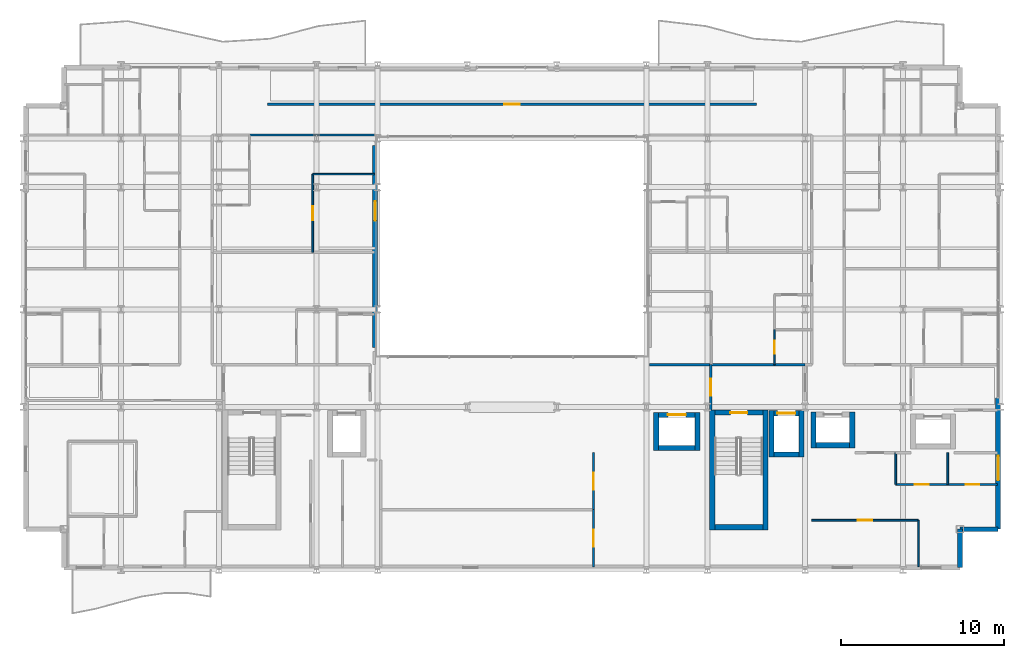
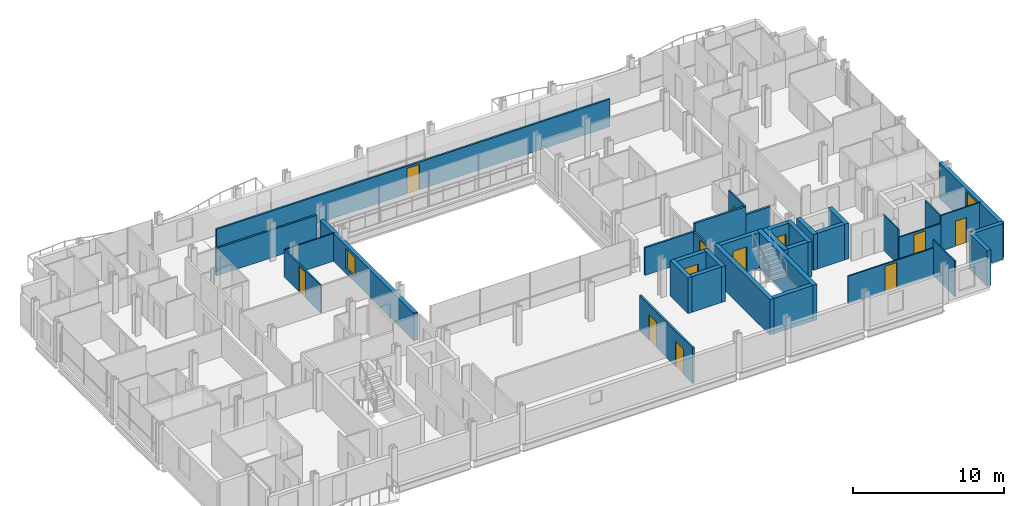
# One storey, part 34 of 41: 36 walls, 12 doors, 2 windows, 14 openings.
"""IFC4 building model written with IfcOpenShell, lengths in metres."""

import ifcopenshell
import ifcopenshell.guid

model = None  # the IFC model being written
_history = None  # IfcOwnerHistory: only IFC2X3 demands one
_inside = {}  # id of a spatial element -> (the spatial element, [elements in it])
_under = {}  # id of a project, library or spatial element -> (it, [spatial elements below it])
_declared = {}  # id of a project -> (the project, [libraries it declares])
_typed = {}  # id of a type object -> (the type object, [elements of that type])
_made_of = {}  # id of a material, layer set ... -> (it, [elements and type objects made of it])


def new_model(schema):
    """Start an empty IFC model of exactly this schema.

    Asked for "IFC4X3", IfcOpenShell would pick the latest addendum, in which some entities
    have other attributes; the version numbers below select the first issue.
    IFC2X3 requires an IfcOwnerHistory on every rooted entity: one is made here for all.
    """
    global model, _history
    if schema == "IFC4X3":
        model = ifcopenshell.file(schema_version=(4, 3, 0, 0))
    else:
        model = ifcopenshell.file(schema=schema)
    _inside.clear()
    _under.clear()
    _declared.clear()
    _typed.clear()
    _made_of.clear()
    _history = None
    if model.schema == "IFC2X3":
        org = make("IfcOrganization", Name="unknown")
        user = make(
            "IfcPersonAndOrganization",
            ThePerson=make("IfcPerson", FamilyName="unknown"),
            TheOrganization=org,
        )
        app = make(
            "IfcApplication",
            ApplicationDeveloper=org,
            Version="unknown",
            ApplicationFullName="unknown",
            ApplicationIdentifier="unknown",
        )
        _history = make(
            "IfcOwnerHistory",
            OwningUser=user,
            OwningApplication=app,
            ChangeAction="ADDED",
            CreationDate=0,
        )
    return model


def make(cls, **values):
    """One entity of the class cls with the attributes given. An attribute that is None is left unset."""
    return model.create_entity(
        cls, **{name: value for name, value in values.items() if value is not None}
    )


def rooted(cls, **values):
    """An entity with a GlobalId (a new one), such as an element, a storey or a relation."""
    return make(cls, GlobalId=ifcopenshell.guid.new(), OwnerHistory=_history, **values)


def si_unit(unit_type, name, prefix=None):
    """IfcSIUnit, for example si_unit("LENGTHUNIT", "METRE", prefix="MILLI")."""
    return make("IfcSIUnit", UnitType=unit_type, Prefix=prefix, Name=name)


def assignment(units):
    """IfcUnitAssignment: the units of a project."""
    return None if units is None else make("IfcUnitAssignment", Units=units)


def point(xyz):
    """IfcCartesianPoint."""
    return None if xyz is None else make("IfcCartesianPoint", Coordinates=xyz)


def direction(xyz):
    """IfcDirection."""
    return None if xyz is None else make("IfcDirection", DirectionRatios=xyz)


def frame(location, z_axis=None, x_axis=None):
    """IfcAxis2Placement3D, a coordinate frame: its origin and axes. An axis left out is left unset."""
    return make(
        "IfcAxis2Placement3D",
        Location=point(location),
        Axis=direction(z_axis),
        RefDirection=direction(x_axis),
    )


def frame_2d(location, x_axis=None):
    """IfcAxis2Placement2D, a coordinate frame in the plane: its origin and x axis."""
    return make(
        "IfcAxis2Placement2D", Location=point(location), RefDirection=direction(x_axis)
    )


def origin():
    """The frame at (0, 0, 0) with its axes left unset."""
    return frame((0.0, 0.0, 0.0))


def place(relative_to, where):
    """IfcLocalPlacement: puts the frame where relative to a parent placement (None: the world)."""
    return make(
        "IfcLocalPlacement", PlacementRelTo=relative_to, RelativePlacement=where
    )


def context(
    kind, dimensions, precision=None, world=None, true_north=None, identifier=None
):
    """IfcGeometricRepresentationContext, for example the 3D "Model" context."""
    return make(
        "IfcGeometricRepresentationContext",
        ContextIdentifier=identifier,
        ContextType=kind,
        CoordinateSpaceDimension=dimensions,
        Precision=precision,
        WorldCoordinateSystem=world,
        TrueNorth=true_north,
    )


def subcontext(parent, identifier, kind, view, scale=None):
    """IfcGeometricRepresentationSubContext, for example "Body" below "Model"."""
    return make(
        "IfcGeometricRepresentationSubContext",
        ContextIdentifier=identifier,
        ContextType=kind,
        ParentContext=parent,
        TargetScale=scale,
        TargetView=view,
    )


def project(units=None, contexts=None):
    """IfcProject with its units and contexts."""
    return rooted(
        "IfcProject",
        Name="project",
        RepresentationContexts=contexts,
        UnitsInContext=assignment(units),
    )


def spatial(cls, under=None, at=None, **own):
    """A site, building, storey or space (cls), placed at a placement, below another one or the project."""
    s = rooted(cls, ObjectPlacement=at, **own)
    if under is not None:
        _under.setdefault(under.id(), (under, []))[1].append(s)
    return s


def profile(cls, at=None, kind="AREA", **sizes):
    """A parametric profile (cls). Its sizes go by their IFC names, for example OverallWidth=200.0."""
    return make(cls, ProfileType=kind, Position=at, **sizes)


def rectangle(**sizes):
    """IfcRectangleProfileDef."""
    return profile("IfcRectangleProfileDef", **sizes)


def extrude(swept, where, along, depth):
    """IfcExtrudedAreaSolid: the profile swept, set in the frame where, extruded along a direction by depth."""
    return make(
        "IfcExtrudedAreaSolid",
        SweptArea=swept,
        Position=where,
        ExtrudedDirection=direction(along),
        Depth=depth,
    )


def shape(context_of_items, identifier, shape_type, items):
    """IfcShapeRepresentation: the items that make up one representation, for example the "Body"."""
    return make(
        "IfcShapeRepresentation",
        ContextOfItems=context_of_items,
        RepresentationIdentifier=identifier,
        RepresentationType=shape_type,
        Items=items,
    )


def material(Name=None, Category=None):
    """IfcMaterial."""
    return make("IfcMaterial", Name=Name, Category=Category)


def layer(
    of_material, thickness, ventilated=None, Name=None, Category=None, Priority=None
):
    """IfcMaterialLayer: one layer of a wall or slab, of a material (None: an air gap)."""
    return make(
        "IfcMaterialLayer",
        Material=of_material,
        LayerThickness=thickness,
        IsVentilated=ventilated,
        Name=Name,
        Category=Category,
        Priority=Priority,
    )


def layer_set(layers, Name=None):
    """IfcMaterialLayerSet."""
    return make("IfcMaterialLayerSet", MaterialLayers=layers, LayerSetName=Name)


def made_of(thing, what):
    """Note that an element or type object is made of a material, layer set ...; save() writes the relation."""
    if what is not None:
        _made_of.setdefault(what.id(), (what, []))[1].append(thing)
    return thing


def type_object(cls, material=None, **own):
    """A type object (cls), such as IfcWallType, which elements share."""
    return made_of(rooted(cls, **own), material)


def element(
    cls,
    number,
    at=None,
    inside=None,
    cuts=None,
    type_object=None,
    material=None,
    context=None,
    identifier="Body",
    shape_type=None,
    held_by="IfcProductDefinitionShape",
    body=None,
    shapes=None,
    **own,
):
    """One element of the class cls, such as IfcWall. Its Tag is "e" and its number.

    at: its placement. inside: the storey or other place that contains it. cuts: it is an
    opening in that element (IfcRelVoidsElement). A single representation is given by context,
    identifier, shape_type and body (its items); several are given by shapes. held_by: the class
    of the entity that holds the representations. save() writes the other relations.
    """
    e = rooted(cls, Tag="e%d" % number, ObjectPlacement=at, **own)
    if body is not None:
        shapes = [shape(context, identifier, shape_type, body)]
    if shapes is not None:
        e.Representation = make(held_by, Representations=shapes)
    if inside is not None:
        _inside.setdefault(inside.id(), (inside, []))[1].append(e)
    if cuts is not None:
        rooted(
            "IfcRelVoidsElement", RelatingBuildingElement=cuts, RelatedOpeningElement=e
        )
    if type_object is not None:
        _typed.setdefault(type_object.id(), (type_object, []))[1].append(e)
    return made_of(e, material)


def fill(opening, filler):
    """IfcRelFillsElement: the door or window that sits in an opening."""
    return rooted(
        "IfcRelFillsElement",
        RelatingOpeningElement=opening,
        RelatedBuildingElement=filler,
    )


def aggregate(whole, parts):
    """IfcRelAggregates: a whole, such as a stair, and the parts it consists of."""
    return rooted("IfcRelAggregates", RelatingObject=whole, RelatedObjects=parts)


def save(model, path):
    """Write the relations noted so far, then the file.

    IfcRelAggregates (storeys below a building ...), IfcRelContainedInSpatialStructure (elements
    in a storey), IfcRelDefinesByType, IfcRelAssociatesMaterial and IfcRelDeclares: one each for
    every whole, place, type object, material and project.
    """
    for whole, parts in _under.values():
        aggregate(whole, parts)
    for where, things in _inside.values():
        rooted(
            "IfcRelContainedInSpatialStructure",
            RelatedElements=things,
            RelatingStructure=where,
        )
    for kind, things in _typed.values():
        rooted("IfcRelDefinesByType", RelatedObjects=things, RelatingType=kind)
    for what, things in _made_of.values():
        rooted("IfcRelAssociatesMaterial", RelatedObjects=things, RelatingMaterial=what)
    for by, libraries in _declared.values():
        rooted("IfcRelDeclares", RelatingContext=by, RelatedDefinitions=libraries)
    model.write(path)


model = new_model("IFC4")

# Units and contexts
model_context = context("Model", 3, precision=1e-05, world=origin(), true_north=direction((0.0, 1.0)))
body_context = subcontext(model_context, "Body", "Model", "MODEL_VIEW")
ifc_project = project(units=[si_unit("LENGTHUNIT", "METRE"), si_unit("AREAUNIT", "SQUARE_METRE"), si_unit("VOLUMEUNIT", "CUBIC_METRE"), si_unit("PLANEANGLEUNIT", "RADIAN"), si_unit("MASSUNIT", "GRAM", prefix="KILO")], contexts=[model_context])

# Site, building, storey
site_placement = place(None, origin())
site = spatial("IfcSite", under=ifc_project, at=site_placement, CompositionType="ELEMENT")
building_placement = place(site_placement, origin())
building = spatial("IfcBuilding", under=site, at=building_placement, Name="Brevholm Reach", CompositionType="ELEMENT")
storey_placement = place(building_placement, frame((0.0, 0.0, 49.699951171875)))
storey = spatial("IfcBuildingStorey", under=building, at=storey_placement, Name="L13", CompositionType="ELEMENT", Elevation=49.699951171875)

# Walls
ifc_material_1 = material(Name="Concrete C60/75", Category="concrete")
ifc_layer_1 = layer(ifc_material_1, 0.320068359375)
ifc_layer_set_1 = layer_set([ifc_layer_1], Name="Concrete C60/75")
wall_type_1 = type_object("IfcWallType", Name="WAL-COR-320", PredefinedType="SHEAR", material=ifc_layer_set_1)
for number, where, z_axis, x_axis, name in (
    (1, (42.2900390625, 2.4599609375, 0.0), (0.0, 0.0, 1.0), (0.0, 1.0, 0.0), "L13 Escape Stair ST-2 Core Wall W"),
    (2, (45.56005859375, 2.4599609375, 0.0), (0.0, 0.0, 1.0), (0.0, 1.0, 0.0), "L13 Escape Stair ST-2 Core Wall E"),
):
    element("IfcWall", number, at=place(storey_placement, frame(where, z_axis=z_axis, x_axis=x_axis)), inside=storey, type_object=wall_type_1, Name=name, PredefinedType="SHEAR", context=body_context, shape_type="SweptSolid", body=[
        extrude(rectangle(XDim=7.360107421875, YDim=0.320068359375, at=frame_2d((3.68017578125, 0.0))), origin(), (0.0, 0.0, 1.0), 2.8701171875),
    ])
wall_1_placement = place(storey_placement, frame((42.449951171875, 2.6201171875, 0.0), z_axis=(0.0, 0.0, 1.0), x_axis=(1.0, 0.0, 0.0)))
element("IfcWall", 3, at=wall_1_placement, inside=storey, type_object=wall_type_1, Name="L13 Escape Stair ST-2 Core Wall S", PredefinedType="SHEAR", context=body_context, shape_type="SweptSolid", body=[
    extrude(rectangle(XDim=2.949951171875, YDim=0.320068359375, at=frame_2d((1.47509765625, 0.0))), origin(), (0.0, 0.0, 1.0), 2.8701171875),
])

# Wall, opening, door
wall_2_placement = place(storey_placement, frame((45.39990234375, 9.659912109375, 0.0), z_axis=(0.0, 0.0, 1.0), x_axis=(-1.0, 0.0, 0.0)))
wall_2 = element("IfcWall", 4, at=wall_2_placement, inside=storey, type_object=wall_type_1, Name="L13 Escape Stair ST-2 Core Wall N", PredefinedType="SHEAR", context=body_context, shape_type="SweptSolid", body=[
    extrude(rectangle(XDim=2.949951171875, YDim=0.320068359375, at=frame_2d((1.47509765625, 0.0))), origin(), (0.0, 0.0, 1.0), 2.8701171875),
])
opening_1_placement = place(wall_2_placement, frame((0.949951171875, 0.0, 0.0)))
opening_1 = element("IfcOpeningElement", 5, at=opening_1_placement, cuts=wall_2, Name="Opening SD-ST-2", PredefinedType="OPENING", context=body_context, shape_type="SweptSolid", body=[
    extrude(rectangle(XDim=1.050048828125, YDim=2.06005859375, at=frame_2d((0.52490234375, 1.030029296875))), frame((0.0, 0.169921875, 0.0), z_axis=(0.0, -1.0, 0.0), x_axis=(1.0, 0.0, 0.0)), (0.0, 0.0, 1.0), 0.340087890625),
])
ifc_material_2 = material(Name="Hardwood-Lipped Steel-Core Fire and Smoke Door", Category="steel")
door_type_1 = type_object("IfcDoorType", Name="DOR-INT-FD60S", OperationType="NOTDEFINED", PredefinedType="DOOR", material=ifc_material_2)
door_1_placement = place(opening_1_placement, origin())
door_1 = element("IfcDoor", 6, at=door_1_placement, inside=storey, type_object=door_type_1, Name="L13 Protected Stair ST-2 Lobby Door", OperationType="SINGLE_SWING_RIGHT", OverallHeight=2.06005859375, OverallWidth=1.050048828125, PredefinedType="DOOR", context=body_context, shape_type="SweptSolid", body=[
    extrude(rectangle(XDim=1.050048828125, YDim=2.06005859375, at=frame_2d((0.52490234375, 1.030029296875))), frame((0.0, 0.02490234375, 0.0), z_axis=(0.0, -1.0, 0.0), x_axis=(1.0, 0.0, 0.0)), (0.0, 0.0, 1.0), 0.050048828125),
])
fill(opening_1, door_1)

# Walls
for number, where, z_axis, x_axis, name in (
    (7, (45.929931640625, 6.919921875, 0.0), (0.0, 0.0, 1.0), (0.0, 1.0, 0.0), "L13 Lift FFL-2 Shaft Wall W"),
    (8, (47.77001953125, 6.919921875, 0.0), (0.0, 0.0, 1.0), (0.0, 1.0, 0.0), "L13 Lift FFL-2 Shaft Wall E"),
):
    element("IfcWall", number, at=place(storey_placement, frame(where, z_axis=z_axis, x_axis=x_axis)), inside=storey, type_object=wall_type_1, Name=name, PredefinedType="SHEAR", context=body_context, shape_type="SweptSolid", body=[
        extrude(rectangle(XDim=2.860107421875, YDim=0.320068359375, at=frame_2d((1.43017578125, 0.0))), origin(), (0.0, 0.0, 1.0), 2.8701171875),
    ])
wall_3_placement = place(storey_placement, frame((46.090087890625, 7.080078125, 0.0), z_axis=(0.0, 0.0, 1.0), x_axis=(1.0, 0.0, 0.0)))
element("IfcWall", 9, at=wall_3_placement, inside=storey, type_object=wall_type_1, Name="L13 Lift FFL-2 Shaft Wall S", PredefinedType="SHEAR", context=body_context, shape_type="SweptSolid", body=[
    extrude(rectangle(XDim=1.52001953125, YDim=0.320068359375, at=frame_2d((0.760009765625, 0.0))), origin(), (0.0, 0.0, 1.0), 2.8701171875),
])

# Wall, opening, door
wall_4_placement = place(storey_placement, frame((46.090087890625, 9.6201171875, 0.0), z_axis=(0.0, 0.0, 1.0), x_axis=(1.0, 0.0, 0.0)))
wall_4 = element("IfcWall", 10, at=wall_4_placement, inside=storey, type_object=wall_type_1, Name="L13 Lift FFL-2 Shaft Wall N", PredefinedType="SHEAR", context=body_context, shape_type="SweptSolid", body=[
    extrude(rectangle(XDim=1.52001953125, YDim=0.320068359375, at=frame_2d((0.760009765625, 0.0))), origin(), (0.0, 0.0, 1.0), 2.8701171875),
])
opening_2_placement = place(wall_4_placement, frame((0.2099609375, 0.0, 0.0)))
opening_2 = element("IfcOpeningElement", 11, at=opening_2_placement, cuts=wall_4, Name="Opening LD-FFL-2", PredefinedType="OPENING", context=body_context, shape_type="SweptSolid", body=[
    extrude(rectangle(XDim=1.10009765625, YDim=2.06005859375, at=frame_2d((0.550048828125, 1.030029296875))), frame((0.0, 0.169921875, 0.0), z_axis=(0.0, -1.0, 0.0), x_axis=(1.0, 0.0, 0.0)), (0.0, 0.0, 1.0), 0.340087890625),
])
ifc_material_3 = material(Name="Brushed Stainless Steel Fire-Rated Sliding Lift Door", Category="steel")
door_type_2 = type_object("IfcDoorType", Name="DOR-LFT-1100", OperationType="NOTDEFINED", PredefinedType="DOOR", material=ifc_material_3)
door_2_placement = place(opening_2_placement, origin())
door_2 = element("IfcDoor", 12, at=door_2_placement, inside=storey, type_object=door_type_2, Name="L13 Lift FFL-2 Sliding Landing Door", OperationType="SLIDING_TO_RIGHT", OverallHeight=2.06005859375, OverallWidth=1.10009765625, PredefinedType="DOOR", context=body_context, shape_type="SweptSolid", body=[
    extrude(rectangle(XDim=1.10009765625, YDim=2.06005859375, at=frame_2d((0.550048828125, 1.030029296875))), frame((0.0, 0.02490234375, 0.0), z_axis=(0.0, -1.0, 0.0), x_axis=(1.0, 0.0, 0.0)), (0.0, 0.0, 1.0), 0.050048828125),
])
fill(opening_2, door_2)

# Walls
for number, where, z_axis, x_axis, name in (
    (13, (48.5048828125, 7.4951171875, 0.0), (0.0, 0.0, 1.0), (0.0, 1.0, 0.0), "L13 Lift PL-L1 Shaft Wall W"),
    (14, (50.89501953125, 7.4951171875, 0.0), (0.0, 0.0, 1.0), (0.0, 1.0, 0.0), "L13 Lift PL-L1 Shaft Wall E"),
):
    element("IfcWall", number, at=place(storey_placement, frame(where, z_axis=z_axis, x_axis=x_axis)), inside=storey, type_object=wall_type_1, Name=name, PredefinedType="SHEAR", context=body_context, shape_type="SweptSolid", body=[
        extrude(rectangle(XDim=2.2099609375, YDim=0.320068359375, at=frame_2d((1.10498046875, 0.0))), origin(), (0.0, 0.0, 1.0), 2.8701171875),
    ])
wall_5_placement = place(storey_placement, frame((48.6650390625, 7.655029296875, 0.0), z_axis=(0.0, 0.0, 1.0), x_axis=(1.0, 0.0, 0.0)))
element("IfcWall", 15, at=wall_5_placement, inside=storey, type_object=wall_type_1, Name="L13 Lift PL-L1 Shaft Wall S", PredefinedType="SHEAR", context=body_context, shape_type="SweptSolid", body=[
    extrude(rectangle(XDim=2.070068359375, YDim=0.320068359375, at=frame_2d((1.03515625, 0.0))), origin(), (0.0, 0.0, 1.0), 2.8701171875),
])
for number, where, z_axis, x_axis, name in (
    (16, (38.85009765625, 7.320068359375, 0.0), (0.0, 0.0, 1.0), (0.0, 1.0, 0.0), "L13 Lift PL-S1 Shaft Wall W"),
    (17, (41.389892578125, 7.320068359375, 0.0), (0.0, 0.0, 1.0), (0.0, 1.0, 0.0), "L13 Lift PL-S1 Shaft Wall E"),
):
    element("IfcWall", number, at=place(storey_placement, frame(where, z_axis=z_axis, x_axis=x_axis)), inside=storey, type_object=wall_type_1, Name=name, PredefinedType="SHEAR", context=body_context, shape_type="SweptSolid", body=[
        extrude(rectangle(XDim=2.35986328125, YDim=0.320068359375, at=frame_2d((1.179931640625, 0.0))), origin(), (0.0, 0.0, 1.0), 2.8701171875),
    ])
wall_6_placement = place(storey_placement, frame((39.010009765625, 7.47998046875, 0.0), z_axis=(0.0, 0.0, 1.0), x_axis=(1.0, 0.0, 0.0)))
element("IfcWall", 18, at=wall_6_placement, inside=storey, type_object=wall_type_1, Name="L13 Lift PL-S1 Shaft Wall S", PredefinedType="SHEAR", context=body_context, shape_type="SweptSolid", body=[
    extrude(rectangle(XDim=2.219970703125, YDim=0.320068359375, at=frame_2d((1.10986328125, 0.0))), origin(), (0.0, 0.0, 1.0), 2.8701171875),
])

# Wall, opening, door
wall_7_placement = place(storey_placement, frame((39.010009765625, 9.52001953125, 0.0), z_axis=(0.0, 0.0, 1.0), x_axis=(1.0, 0.0, 0.0)))
wall_7 = element("IfcWall", 19, at=wall_7_placement, inside=storey, type_object=wall_type_1, Name="L13 Lift PL-S1 Shaft Wall N", PredefinedType="SHEAR", context=body_context, shape_type="SweptSolid", body=[
    extrude(rectangle(XDim=2.219970703125, YDim=0.320068359375, at=frame_2d((1.10986328125, 0.0))), origin(), (0.0, 0.0, 1.0), 2.8701171875),
])
opening_3_placement = place(wall_7_placement, frame((0.56005859375, 0.0, 0.0)))
opening_3 = element("IfcOpeningElement", 20, at=opening_3_placement, cuts=wall_7, Name="Opening LD-PL-S1", PredefinedType="OPENING", context=body_context, shape_type="SweptSolid", body=[
    extrude(rectangle(XDim=1.10009765625, YDim=2.06005859375, at=frame_2d((0.550048828125, 1.030029296875))), frame((0.0, 0.169921875, 0.0), z_axis=(0.0, -1.0, 0.0), x_axis=(1.0, 0.0, 0.0)), (0.0, 0.0, 1.0), 0.340087890625),
])
door_3_placement = place(opening_3_placement, origin())
door_3 = element("IfcDoor", 21, at=door_3_placement, inside=storey, type_object=door_type_2, Name="L13 Lift PL-S1 Sliding Landing Door", OperationType="SLIDING_TO_LEFT", OverallHeight=2.06005859375, OverallWidth=1.10009765625, PredefinedType="DOOR", context=body_context, shape_type="SweptSolid", body=[
    extrude(rectangle(XDim=1.10009765625, YDim=2.06005859375, at=frame_2d((0.550048828125, 1.030029296875))), frame((0.0, 0.02490234375, 0.0), z_axis=(0.0, -1.0, 0.0), x_axis=(1.0, 0.0, 0.0)), (0.0, 0.0, 1.0), 0.050048828125),
])
fill(opening_3, door_3)

# Walls
ifc_material_4 = material(Name="Concrete C40/50", Category="concrete")
ifc_layer_2 = layer(ifc_material_4, 0.300048828125)
ifc_layer_set_2 = layer_set([ifc_layer_2], Name="Concrete C40/50")
wall_type_2 = type_object("IfcWallType", Name="WAL-EXT-300", PredefinedType="STANDARD", material=ifc_layer_set_2)
for number, where, z_axis, x_axis, name in (
    (22, (57.5, 0.14990234375, 0.0), (0.0, 0.0, 1.0), (0.0, 1.0, 0.0), "L13 Facade Wall WAL-L13-CSE1"),
    (23, (57.5, 2.5, 0.0), (0.0, 0.0, 1.0), (1.0, 0.0, 0.0), "L13 Facade Wall WAL-L13-CSE2"),
):
    element("IfcWall", number, at=place(storey_placement, frame(where, z_axis=z_axis, x_axis=x_axis)), inside=storey, type_object=wall_type_2, Name=name, PredefinedType="STANDARD", context=body_context, shape_type="SweptSolid", body=[
        extrude(rectangle(XDim=2.35009765625, YDim=0.300048828125, at=frame_2d((1.175048828125, 0.0))), origin(), (0.0, 0.0, 1.0), 2.8701171875),
    ])

# Wall, opening, window
wall_8_placement = place(storey_placement, frame((59.85009765625, 2.5, 0.0), z_axis=(0.0, 0.0, 1.0), x_axis=(0.0, 1.0, 0.0)))
wall_8 = element("IfcWall", 24, at=wall_8_placement, inside=storey, type_object=wall_type_2, Name="L13 Facade Wall WAL-L13-E-S", PredefinedType="STANDARD", context=body_context, shape_type="SweptSolid", body=[
    extrude(rectangle(XDim=8.050048828125, YDim=0.300048828125, at=frame_2d((4.02490234375, 0.0))), origin(), (0.0, 0.0, 1.0), 2.8701171875),
])
opening_4_placement = place(wall_8_placement, frame((3.0, 0.0, 0.85009765625)))
opening_4 = element("IfcOpeningElement", 25, at=opening_4_placement, cuts=wall_8, Name="Opening WN-05", PredefinedType="OPENING", context=body_context, shape_type="SweptSolid", body=[
    extrude(rectangle(XDim=1.5, YDim=1.800048828125, at=frame_2d((0.75, 0.89990234375))), frame((0.0, 0.159912109375, 0.0), z_axis=(0.0, -1.0, 0.0), x_axis=(1.0, 0.0, 0.0)), (0.0, 0.0, 1.0), 0.320068359375),
])
ifc_material_5 = material(Name="Dark Anodised Aluminium and Solar-Control IGU Glass", Category="aluminium")
window_type_1 = type_object("IfcWindowType", Name="WIN-RES-1500", PartitioningType="SINGLE_PANEL", PredefinedType="WINDOW", material=ifc_material_5)
window_1_placement = place(opening_4_placement, origin())
window_1 = element("IfcWindow", 26, at=window_1_placement, inside=storey, type_object=window_type_1, Name="L13 Window WIN-L13-ES-1", OverallHeight=1.800048828125, OverallWidth=1.5, PartitioningType="SINGLE_PANEL", PredefinedType="WINDOW", context=body_context, shape_type="SweptSolid", body=[
    extrude(rectangle(XDim=1.5, YDim=1.800048828125, at=frame_2d((0.75, 0.89990234375))), frame((0.0, 0.030029296875, 0.0), z_axis=(0.0, -1.0, 0.0), x_axis=(1.0, 0.0, 0.0)), (0.0, 0.0, 1.0), 0.06005859375),
])
fill(opening_4, window_1)

wall_9_placement = place(storey_placement, frame((21.60009765625, 26.050048828125, 0.0), z_axis=(0.0, 0.0, 1.0), x_axis=(0.0, -1.0, 0.0)))
wall_9 = element("IfcWall", 27, at=wall_9_placement, inside=storey, type_object=wall_type_2, Name="L13 Facade Wall WAL-L13-AT-W", PredefinedType="STANDARD", context=body_context, shape_type="SweptSolid", body=[
    extrude(rectangle(XDim=12.400146484375, YDim=0.300048828125, at=frame_2d((6.2001953125, 0.0))), origin(), (0.0, 0.0, 1.0), 2.224853515625),
])
opening_5_placement = place(wall_9_placement, frame((3.39990234375, 0.0, 0.405029296875)))
opening_5 = element("IfcOpeningElement", 28, at=opening_5_placement, cuts=wall_9, Name="Opening WN-08", PredefinedType="OPENING", context=body_context, shape_type="SweptSolid", body=[
    extrude(rectangle(XDim=1.199951171875, YDim=1.60009765625, at=frame_2d((0.60009765625, 0.800048828125))), frame((0.0, 0.159912109375, 0.0), z_axis=(0.0, -1.0, 0.0), x_axis=(1.0, 0.0, 0.0)), (0.0, 0.0, 1.0), 0.320068359375),
])
ifc_material_6 = material(Name="Dark Anodised Aluminium and Solar-Control IGU Glass", Category="aluminium")
window_type_2 = type_object("IfcWindowType", Name="WIN-RES-1200", PartitioningType="SINGLE_PANEL", PredefinedType="WINDOW", material=ifc_material_6)
window_2_placement = place(opening_5_placement, origin())
window_2 = element("IfcWindow", 29, at=window_2_placement, inside=storey, type_object=window_type_2, Name="L13 Window WIN-L13-AT-W1", OverallHeight=1.60009765625, OverallWidth=1.199951171875, PartitioningType="SINGLE_PANEL", PredefinedType="WINDOW", context=body_context, shape_type="SweptSolid", body=[
    extrude(rectangle(XDim=1.199951171875, YDim=1.60009765625, at=frame_2d((0.60009765625, 0.800048828125))), frame((0.0, 0.030029296875, 0.0), z_axis=(0.0, -1.0, 0.0), x_axis=(1.0, 0.0, 0.0)), (0.0, 0.0, 1.0), 0.06005859375),
])
fill(opening_5, window_2)

# Wall
ifc_material_7 = material(Name="Moisture-Resistant Acoustic Gypsum Stud Partition 100 mm", Category="gypsum")
ifc_layer_3 = layer(ifc_material_7, 0.10009765625)
ifc_layer_set_3 = layer_set([ifc_layer_3], Name="Moisture-Resistant Acoustic Gypsum Stud Partition 100 mm")
wall_type_3 = type_object("IfcWallType", Name="WAL-PRT-100", PredefinedType="PARTITIONING", material=ifc_layer_set_3)
wall_10_placement = place(storey_placement, frame((56.75, 5.25, 0.0), z_axis=(0.0, 0.0, 1.0), x_axis=(0.0, 1.0, 0.0)))
element("IfcWall", 30, at=wall_10_placement, inside=storey, type_object=wall_type_3, Name="L13 Internal Partition 069", PredefinedType="PARTITIONING", context=body_context, shape_type="SweptSolid", body=[
    extrude(rectangle(XDim=1.949951171875, YDim=0.10009765625, at=frame_2d((0.97509765625, 0.0))), origin(), (0.0, 0.0, 1.0), 2.8701171875),
])

# Wall, opening, door
wall_11_placement = place(storey_placement, frame((56.75, 5.25, 0.0), z_axis=(0.0, 0.0, 1.0), x_axis=(1.0, 0.0, 0.0)))
wall_11 = element("IfcWall", 31, at=wall_11_placement, inside=storey, type_object=wall_type_3, Name="L13 Internal Partition 070", PredefinedType="PARTITIONING", context=body_context, shape_type="SweptSolid", body=[
    extrude(rectangle(XDim=3.050048828125, YDim=0.10009765625, at=frame_2d((1.52490234375, 0.0))), origin(), (0.0, 0.0, 1.0), 2.8701171875),
])
opening_6_placement = place(wall_11_placement, frame((1.114990234375, 0.0, 0.0)))
opening_6 = element("IfcOpeningElement", 32, at=opening_6_placement, cuts=wall_11, Name="Opening ID-03", PredefinedType="OPENING", context=body_context, shape_type="SweptSolid", body=[
    extrude(rectangle(XDim=0.820068359375, YDim=2.02001953125, at=frame_2d((0.41015625, 1.010009765625))), frame((0.0, 0.06005859375, 0.0), z_axis=(0.0, -1.0, 0.0), x_axis=(1.0, 0.0, 0.0)), (0.0, 0.0, 1.0), 0.1201171875),
])
ifc_material_8 = material(Name="Moisture-Resistant Painted Timber Internal Bathroom Door", Category="wood")
door_type_3 = type_object("IfcDoorType", Name="DOR-BATH-820", OperationType="NOTDEFINED", PredefinedType="DOOR", material=ifc_material_8)
door_4_placement = place(opening_6_placement, origin())
door_4 = element("IfcDoor", 33, at=door_4_placement, inside=storey, type_object=door_type_3, Name="L13 Internal Door 027", OperationType="SINGLE_SWING_RIGHT", OverallHeight=2.02001953125, OverallWidth=0.820068359375, PredefinedType="DOOR", context=body_context, shape_type="SweptSolid", body=[
    extrude(rectangle(XDim=0.820068359375, YDim=2.02001953125, at=frame_2d((0.41015625, 1.010009765625))), frame((0.0, 0.02490234375, 0.0), z_axis=(0.0, -1.0, 0.0), x_axis=(1.0, 0.0, 0.0)), (0.0, 0.0, 1.0), 0.050048828125),
])
fill(opening_6, door_4)

wall_12_placement = place(storey_placement, frame((53.55810546875, 5.25, 0.0), z_axis=(0.0, 0.0, 1.0), x_axis=(1.0, 0.0, 0.0)))
wall_12 = element("IfcWall", 34, at=wall_12_placement, inside=storey, type_object=wall_type_3, Name="L13 Internal Partition 071", PredefinedType="PARTITIONING", context=body_context, shape_type="SweptSolid", body=[
    extrude(rectangle(XDim=3.18798828125, YDim=0.10009765625, at=frame_2d((1.593994140625, 0.0))), origin(), (0.0, 0.0, 1.0), 2.224853515625),
])
opening_7_placement = place(wall_12_placement, frame((1.154052734375, 0.0, 0.0)))
opening_7 = element("IfcOpeningElement", 35, at=opening_7_placement, cuts=wall_12, Name="Opening ID-01", PredefinedType="OPENING", context=body_context, shape_type="SweptSolid", body=[
    extrude(rectangle(XDim=0.8798828125, YDim=2.0400390625, at=frame_2d((0.43994140625, 1.02001953125))), frame((0.0, 0.06005859375, 0.0), z_axis=(0.0, -1.0, 0.0), x_axis=(1.0, 0.0, 0.0)), (0.0, 0.0, 1.0), 0.1201171875),
])
ifc_material_9 = material(Name="Lacquered Ash Solid-Core Acoustic Internal Door", Category="timber")
door_type_4 = type_object("IfcDoorType", Name="DOR-INT-880", OperationType="NOTDEFINED", PredefinedType="DOOR", material=ifc_material_9)
door_5_placement = place(opening_7_placement, origin())
door_5 = element("IfcDoor", 36, at=door_5_placement, inside=storey, type_object=door_type_4, Name="L13 Internal Door 028", OperationType="SINGLE_SWING_LEFT", OverallHeight=2.0400390625, OverallWidth=0.8798828125, PredefinedType="DOOR", context=body_context, shape_type="SweptSolid", body=[
    extrude(rectangle(XDim=0.8798828125, YDim=2.0400390625, at=frame_2d((0.43994140625, 1.02001953125))), frame((0.0, 0.02490234375, 0.0), z_axis=(0.0, -1.0, 0.0), x_axis=(1.0, 0.0, 0.0)), (0.0, 0.0, 1.0), 0.050048828125),
])
fill(opening_7, door_5)

# Walls
wall_13_placement = place(storey_placement, frame((53.55810546875, 5.25, 0.0), z_axis=(0.0, 0.0, 1.0), x_axis=(0.0, 1.0, 0.0)))
element("IfcWall", 37, at=wall_13_placement, inside=storey, type_object=wall_type_3, Name="L13 Internal Partition 072", PredefinedType="PARTITIONING", context=body_context, shape_type="SweptSolid", body=[
    extrude(rectangle(XDim=1.946044921875, YDim=0.10009765625, at=frame_2d((0.97314453125, 0.0))), origin(), (0.0, 0.0, 1.0), 2.8701171875),
])
wall_14_placement = place(storey_placement, frame((54.949951171875, 0.199951171875, 0.0), z_axis=(0.0, 0.0, 1.0), x_axis=(0.0, 1.0, 0.0)))
element("IfcWall", 38, at=wall_14_placement, inside=storey, type_object=wall_type_3, Name="L13 Internal Partition 073", PredefinedType="PARTITIONING", context=body_context, shape_type="SweptSolid", body=[
    extrude(rectangle(XDim=2.85009765625, YDim=0.10009765625, at=frame_2d((1.425048828125, 0.0))), origin(), (0.0, 0.0, 1.0), 2.8701171875),
])

# Wall, opening, door
wall_15_placement = place(storey_placement, frame((48.39990234375, 3.050048828125, 0.0), z_axis=(0.0, 0.0, 1.0), x_axis=(1.0, 0.0, 0.0)))
wall_15 = element("IfcWall", 39, at=wall_15_placement, inside=storey, type_object=wall_type_3, Name="L13 Internal Partition 074", PredefinedType="PARTITIONING", context=body_context, shape_type="SweptSolid", body=[
    extrude(rectangle(XDim=6.550048828125, YDim=0.10009765625, at=frame_2d((3.27490234375, 0.0))), origin(), (0.0, 0.0, 1.0), 2.224853515625),
])
opening_8_placement = place(wall_15_placement, frame((2.8349609375, 0.0, 0.0)))
opening_8 = element("IfcOpeningElement", 40, at=opening_8_placement, cuts=wall_15, Name="Opening ID-01", PredefinedType="OPENING", context=body_context, shape_type="SweptSolid", body=[
    extrude(rectangle(XDim=0.8798828125, YDim=2.0400390625, at=frame_2d((0.43994140625, 1.02001953125))), frame((0.0, 0.06005859375, 0.0), z_axis=(0.0, -1.0, 0.0), x_axis=(1.0, 0.0, 0.0)), (0.0, 0.0, 1.0), 0.1201171875),
])
door_6_placement = place(opening_8_placement, origin())
door_6 = element("IfcDoor", 41, at=door_6_placement, inside=storey, type_object=door_type_4, Name="L13 Internal Door 029", OperationType="SINGLE_SWING_RIGHT", OverallHeight=2.0400390625, OverallWidth=0.8798828125, PredefinedType="DOOR", context=body_context, shape_type="SweptSolid", body=[
    extrude(rectangle(XDim=0.8798828125, YDim=2.0400390625, at=frame_2d((0.43994140625, 1.02001953125))), frame((0.0, 0.02490234375, 0.0), z_axis=(0.0, -1.0, 0.0), x_axis=(1.0, 0.0, 0.0)), (0.0, 0.0, 1.0), 0.050048828125),
])
fill(opening_8, door_6)

# Wall
wall_16_placement = place(storey_placement, frame((17.76904296875, 24.300048828125, 0.0), z_axis=(0.0, 0.0, 1.0), x_axis=(1.0, 0.0, 0.0)))
element("IfcWall", 42, at=wall_16_placement, inside=storey, type_object=wall_type_3, Name="L13 Internal Partition 104", PredefinedType="PARTITIONING", context=body_context, shape_type="SweptSolid", body=[
    extrude(rectangle(XDim=3.781005859375, YDim=0.10009765625, at=frame_2d((1.890625, 0.0))), origin(), (0.0, 0.0, 1.0), 2.224853515625),
])

# Wall, opening, door
wall_17_placement = place(storey_placement, frame((17.76904296875, 19.50390625, 0.0), z_axis=(0.0, 0.0, 1.0), x_axis=(0.0, 1.0, 0.0)))
wall_17 = element("IfcWall", 43, at=wall_17_placement, inside=storey, type_object=wall_type_3, Name="L13 Internal Partition 105", PredefinedType="PARTITIONING", context=body_context, shape_type="SweptSolid", body=[
    extrude(rectangle(XDim=4.796142578125, YDim=0.10009765625, at=frame_2d((2.39794921875, 0.0))), origin(), (0.0, 0.0, 1.0), 2.224853515625),
])
opening_9_placement = place(wall_17_placement, frame((1.9580078125, 0.0, 0.0)))
opening_9 = element("IfcOpeningElement", 44, at=opening_9_placement, cuts=wall_17, Name="Opening ID-01", PredefinedType="OPENING", context=body_context, shape_type="SweptSolid", body=[
    extrude(rectangle(XDim=0.8798828125, YDim=2.0400390625, at=frame_2d((0.43994140625, 1.02001953125))), frame((0.0, 0.06005859375, 0.0), z_axis=(0.0, -1.0, 0.0), x_axis=(1.0, 0.0, 0.0)), (0.0, 0.0, 1.0), 0.1201171875),
])
door_7_placement = place(opening_9_placement, origin())
door_7 = element("IfcDoor", 45, at=door_7_placement, inside=storey, type_object=door_type_4, Name="L13 Internal Door 039", OperationType="SINGLE_SWING_RIGHT", OverallHeight=2.0400390625, OverallWidth=0.8798828125, PredefinedType="DOOR", context=body_context, shape_type="SweptSolid", body=[
    extrude(rectangle(XDim=0.8798828125, YDim=2.0400390625, at=frame_2d((0.43994140625, 1.02001953125))), frame((0.0, 0.02490234375, 0.0), z_axis=(0.0, -1.0, 0.0), x_axis=(1.0, 0.0, 0.0)), (0.0, 0.0, 1.0), 0.050048828125),
])
fill(opening_9, door_7)

wall_18_placement = place(storey_placement, frame((46.112060546875, 12.60400390625, 0.0), z_axis=(0.0, 0.0, 1.0), x_axis=(0.0, 1.0, 0.0)))
wall_18 = element("IfcWall", 46, at=wall_18_placement, inside=storey, type_object=wall_type_3, Name="L13 Internal Partition 107", PredefinedType="PARTITIONING", context=body_context, shape_type="SweptSolid", body=[
    extrude(rectangle(XDim=2.14599609375, YDim=0.10009765625, at=frame_2d((1.072998046875, 0.0))), origin(), (0.0, 0.0, 1.0), 2.8701171875),
])
opening_10_placement = place(wall_18_placement, frame((0.6630859375, 0.0, 0.0)))
opening_10 = element("IfcOpeningElement", 47, at=opening_10_placement, cuts=wall_18, Name="Opening ID-03", PredefinedType="OPENING", context=body_context, shape_type="SweptSolid", body=[
    extrude(rectangle(XDim=0.820068359375, YDim=2.02001953125, at=frame_2d((0.41015625, 1.010009765625))), frame((0.0, 0.06005859375, 0.0), z_axis=(0.0, -1.0, 0.0), x_axis=(1.0, 0.0, 0.0)), (0.0, 0.0, 1.0), 0.1201171875),
])
door_8_placement = place(opening_10_placement, origin())
door_8 = element("IfcDoor", 48, at=door_8_placement, inside=storey, type_object=door_type_3, Name="L13 Internal Door 040", OperationType="SINGLE_SWING_LEFT", OverallHeight=2.02001953125, OverallWidth=0.820068359375, PredefinedType="DOOR", context=body_context, shape_type="SweptSolid", body=[
    extrude(rectangle(XDim=0.820068359375, YDim=2.02001953125, at=frame_2d((0.41015625, 1.010009765625))), frame((0.0, 0.02490234375, 0.0), z_axis=(0.0, -1.0, 0.0), x_axis=(1.0, 0.0, 0.0)), (0.0, 0.0, 1.0), 0.050048828125),
])
fill(opening_10, door_8)

ifc_material_10 = material(Name="Twin-Stud Acoustic Fire-Rated Gypsum Partition 140 mm", Category="gypsum")
ifc_layer_4 = layer(ifc_material_10, 0.139892578125)
ifc_layer_set_4 = layer_set([ifc_layer_4], Name="Twin-Stud Acoustic Fire-Rated Gypsum Partition 140 mm")
wall_type_4 = type_object("IfcWallType", Name="WAL-PRT-140", PredefinedType="PARTITIONING", material=ifc_layer_set_4)
wall_19_placement = place(storey_placement, frame((35.0, 0.179931640625, 0.0), z_axis=(0.0, 0.0, 1.0), x_axis=(0.0, 1.0, 0.0)))
wall_19 = element("IfcWall", 49, at=wall_19_placement, inside=storey, type_object=wall_type_4, Name="L13 Internal Partition 001", PredefinedType="PARTITIONING", context=body_context, shape_type="SweptSolid", body=[
    extrude(rectangle(XDim=3.53125, YDim=0.139892578125, at=frame_2d((1.765625, 0.0))), origin(), (0.0, 0.0, 1.0), 2.8701171875),
])
opening_11_placement = place(wall_19_placement, frame((1.24072265625, 0.0, 0.0)))
opening_11 = element("IfcOpeningElement", 50, at=opening_11_placement, cuts=wall_19, Name="Opening FD-01", PredefinedType="OPENING", context=body_context, shape_type="SweptSolid", body=[
    extrude(rectangle(XDim=1.050048828125, YDim=2.06005859375, at=frame_2d((0.52490234375, 1.030029296875))), frame((0.0, 0.079833984375, 0.0), z_axis=(0.0, -1.0, 0.0), x_axis=(1.0, 0.0, 0.0)), (0.0, 0.0, 1.0), 0.159912109375),
])
door_9_placement = place(opening_11_placement, origin())
door_9 = element("IfcDoor", 51, at=door_9_placement, inside=storey, type_object=door_type_1, Name="L13 Internal Door 001", OperationType="SINGLE_SWING_RIGHT", OverallHeight=2.06005859375, OverallWidth=1.050048828125, PredefinedType="DOOR", context=body_context, shape_type="SweptSolid", body=[
    extrude(rectangle(XDim=1.050048828125, YDim=2.06005859375, at=frame_2d((0.52490234375, 1.030029296875))), frame((0.0, 0.02490234375, 0.0), z_axis=(0.0, -1.0, 0.0), x_axis=(1.0, 0.0, 0.0)), (0.0, 0.0, 1.0), 0.050048828125),
])
fill(opening_11, door_9)

wall_20_placement = place(storey_placement, frame((35.0, 3.692626953125, 0.0), z_axis=(0.0, 0.0, 1.0), x_axis=(0.0, 1.0, 0.0)))
wall_20 = element("IfcWall", 52, at=wall_20_placement, inside=storey, type_object=wall_type_4, Name="L13 Internal Partition 002", PredefinedType="PARTITIONING", context=body_context, shape_type="SweptSolid", body=[
    extrude(rectangle(XDim=3.5185546875, YDim=0.139892578125, at=frame_2d((1.75927734375, 0.0))), origin(), (0.0, 0.0, 1.0), 2.8701171875),
])
opening_12_placement = place(wall_20_placement, frame((1.234375, 0.0, 0.0)))
opening_12 = element("IfcOpeningElement", 53, at=opening_12_placement, cuts=wall_20, Name="Opening FD-01", PredefinedType="OPENING", context=body_context, shape_type="SweptSolid", body=[
    extrude(rectangle(XDim=1.050048828125, YDim=2.06005859375, at=frame_2d((0.52490234375, 1.030029296875))), frame((0.0, 0.079833984375, 0.0), z_axis=(0.0, -1.0, 0.0), x_axis=(1.0, 0.0, 0.0)), (0.0, 0.0, 1.0), 0.159912109375),
])
door_10_placement = place(opening_12_placement, origin())
door_10 = element("IfcDoor", 54, at=door_10_placement, inside=storey, type_object=door_type_1, Name="L13 Internal Door 002", OperationType="SINGLE_SWING_LEFT", OverallHeight=2.06005859375, OverallWidth=1.050048828125, PredefinedType="DOOR", context=body_context, shape_type="SweptSolid", body=[
    extrude(rectangle(XDim=1.050048828125, YDim=2.06005859375, at=frame_2d((0.52490234375, 1.030029296875))), frame((0.0, 0.02490234375, 0.0), z_axis=(0.0, -1.0, 0.0), x_axis=(1.0, 0.0, 0.0)), (0.0, 0.0, 1.0), 0.050048828125),
])
fill(opening_12, door_10)

# Walls
wall_21_placement = place(storey_placement, frame((38.438720703125, 12.60009765625, 0.0), z_axis=(0.0, 0.0, 1.0), x_axis=(1.0, 0.0, 0.0)))
element("IfcWall", 55, at=wall_21_placement, inside=storey, type_object=wall_type_4, Name="L13 Internal Partition 027", PredefinedType="PARTITIONING", context=body_context, shape_type="SweptSolid", body=[
    extrude(rectangle(XDim=3.75732421875, YDim=0.139892578125, at=frame_2d((1.878662109375, 0.0))), origin(), (0.0, 0.0, 1.0), 2.224853515625),
])
wall_22_placement = place(storey_placement, frame((13.881591796875, 26.699951171875, 0.0), z_axis=(0.0, 0.0, 1.0), x_axis=(1.0, 0.0, 0.0)))
element("IfcWall", 56, at=wall_22_placement, inside=storey, type_object=wall_type_4, Name="L13 Internal Partition 049", PredefinedType="PARTITIONING", context=body_context, shape_type="SweptSolid", body=[
    extrude(rectangle(XDim=7.6796875, YDim=0.139892578125, at=frame_2d((3.83984375, 0.0))), origin(), (0.0, 0.0, 1.0), 2.224853515625),
])

# Wall, opening, door
wall_23_placement = place(storey_placement, frame((14.98876953125, 28.60009765625, 0.0), z_axis=(0.0, 0.0, 1.0), x_axis=(1.0, 0.0, 0.0)))
wall_23 = element("IfcWall", 57, at=wall_23_placement, inside=storey, type_object=wall_type_4, Name="L13 Internal Partition 051", PredefinedType="PARTITIONING", context=body_context, shape_type="SweptSolid", body=[
    extrude(rectangle(XDim=30.0224609375, YDim=0.139892578125, at=frame_2d((15.01123046875, 0.0))), origin(), (0.0, 0.0, 1.0), 2.224853515625),
])
opening_13_placement = place(wall_23_placement, frame((14.536376953125, 0.0, 0.0)))
opening_13 = element("IfcOpeningElement", 58, at=opening_13_placement, cuts=wall_23, Name="Opening ID-30", PredefinedType="OPENING", context=body_context, shape_type="SweptSolid", body=[
    extrude(rectangle(XDim=0.949951171875, YDim=2.050048828125, at=frame_2d((0.47509765625, 1.02490234375))), frame((0.0, 0.079833984375, 0.0), z_axis=(0.0, -1.0, 0.0), x_axis=(1.0, 0.0, 0.0)), (0.0, 0.0, 1.0), 0.159912109375),
])
ifc_material_11 = material(Name="European Oak Veneered Solid-Core Fire Entrance Door", Category="timber")
door_type_5 = type_object("IfcDoorType", Name="DOR-FLT-FD30S", OperationType="NOTDEFINED", PredefinedType="DOOR", material=ifc_material_11)
door_11_placement = place(opening_13_placement, origin())
door_11 = element("IfcDoor", 59, at=door_11_placement, inside=storey, type_object=door_type_5, Name="L13 Internal Door 023", OperationType="SINGLE_SWING_RIGHT", OverallHeight=2.050048828125, OverallWidth=0.949951171875, PredefinedType="DOOR", context=body_context, shape_type="SweptSolid", body=[
    extrude(rectangle(XDim=0.949951171875, YDim=2.050048828125, at=frame_2d((0.47509765625, 1.02490234375))), frame((0.0, 0.02490234375, 0.0), z_axis=(0.0, -1.0, 0.0), x_axis=(1.0, 0.0, 0.0)), (0.0, 0.0, 1.0), 0.050048828125),
])
fill(opening_13, door_11)

ifc_material_12 = material(Name="Twin-Frame Fire-Rated Gypsum Board and Mineral Wool 160 mm", Category="gypsum")
ifc_layer_5 = layer(ifc_material_12, 0.159912109375)
ifc_layer_set_5 = layer_set([ifc_layer_5], Name="Twin-Frame Fire-Rated Gypsum Board and Mineral Wool 160 mm")
wall_type_5 = type_object("IfcWallType", Name="WAL-PRT-160", PredefinedType="PARTITIONING", material=ifc_layer_set_5)
wall_24_placement = place(storey_placement, frame((42.199951171875, 9.830078125, 0.0), z_axis=(0.0, 0.0, 1.0), x_axis=(0.0, 1.0, 0.0)))
wall_24 = element("IfcWall", 60, at=wall_24_placement, inside=storey, type_object=wall_type_5, Name="L13 Internal Partition 019", PredefinedType="PARTITIONING", context=body_context, shape_type="SweptSolid", body=[
    extrude(rectangle(XDim=2.77001953125, YDim=0.159912109375, at=frame_2d((1.385009765625, 0.0))), origin(), (0.0, 0.0, 1.0), 2.224853515625),
])
opening_14_placement = place(wall_24_placement, frame((0.860107421875, 0.0, 0.0)))
opening_14 = element("IfcOpeningElement", 61, at=opening_14_placement, cuts=wall_24, Name="Opening FD-01", PredefinedType="OPENING", context=body_context, shape_type="SweptSolid", body=[
    extrude(rectangle(XDim=1.050048828125, YDim=2.06005859375, at=frame_2d((0.52490234375, 1.030029296875))), frame((0.0, 0.08984375, 0.0), z_axis=(0.0, -1.0, 0.0), x_axis=(1.0, 0.0, 0.0)), (0.0, 0.0, 1.0), 0.179931640625),
])
door_12_placement = place(opening_14_placement, origin())
door_12 = element("IfcDoor", 62, at=door_12_placement, inside=storey, type_object=door_type_1, Name="L13 Internal Door 010", OperationType="SINGLE_SWING_LEFT", OverallHeight=2.06005859375, OverallWidth=1.050048828125, PredefinedType="DOOR", context=body_context, shape_type="SweptSolid", body=[
    extrude(rectangle(XDim=1.050048828125, YDim=2.06005859375, at=frame_2d((0.52490234375, 1.030029296875))), frame((0.0, 0.02490234375, 0.0), z_axis=(0.0, -1.0, 0.0), x_axis=(1.0, 0.0, 0.0)), (0.0, 0.0, 1.0), 0.050048828125),
])
fill(opening_14, door_12)

# Walls
wall_25_placement = place(storey_placement, frame((46.1005859375, 12.60009765625, 0.0), z_axis=(0.0, 0.0, 1.0), x_axis=(1.0, 0.0, 0.0)))
element("IfcWall", 63, at=wall_25_placement, inside=storey, type_object=wall_type_5, Name="L13 Internal Partition 021", PredefinedType="PARTITIONING", context=body_context, shape_type="SweptSolid", body=[
    extrude(rectangle(XDim=1.8994140625, YDim=0.159912109375, at=frame_2d((0.94970703125, 0.0))), origin(), (0.0, 0.0, 1.0), 2.224853515625),
])
wall_26_placement = place(storey_placement, frame((42.2236328125, 12.60009765625, 0.0), z_axis=(0.0, 0.0, 1.0), x_axis=(1.0, 0.0, 0.0)))
element("IfcWall", 64, at=wall_26_placement, inside=storey, type_object=wall_type_5, Name="L13 Internal Partition 022", PredefinedType="PARTITIONING", context=body_context, shape_type="SweptSolid", body=[
    extrude(rectangle(XDim=3.895751953125, YDim=0.159912109375, at=frame_2d((1.94775390625, 0.0))), origin(), (0.0, 0.0, 1.0), 2.8701171875),
])

save(model, "model.ifc")
